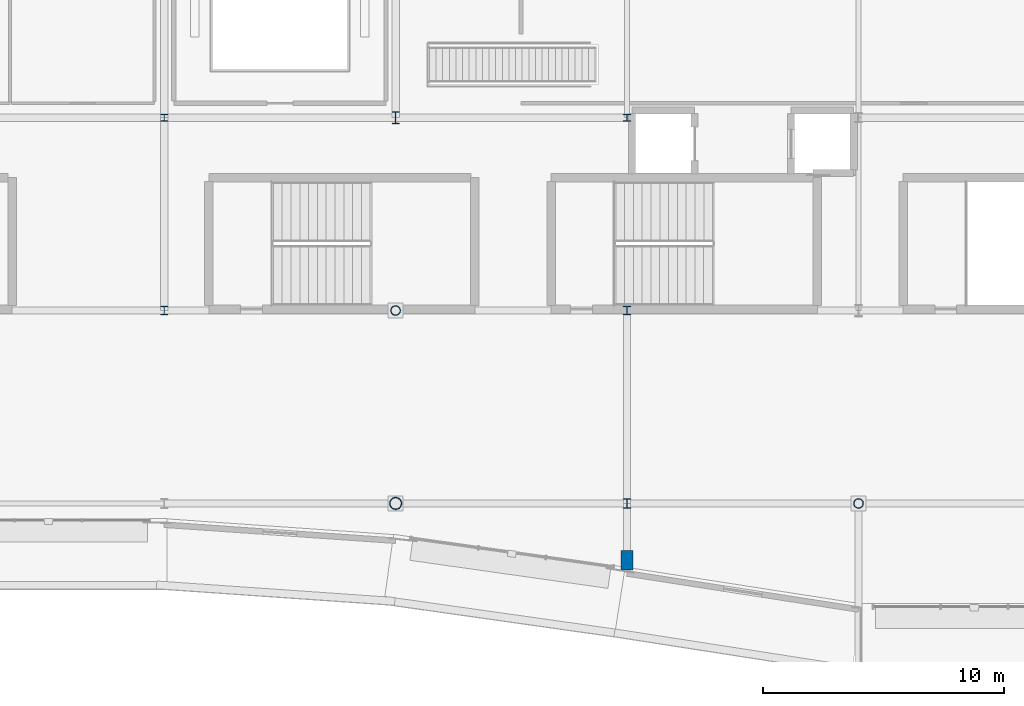
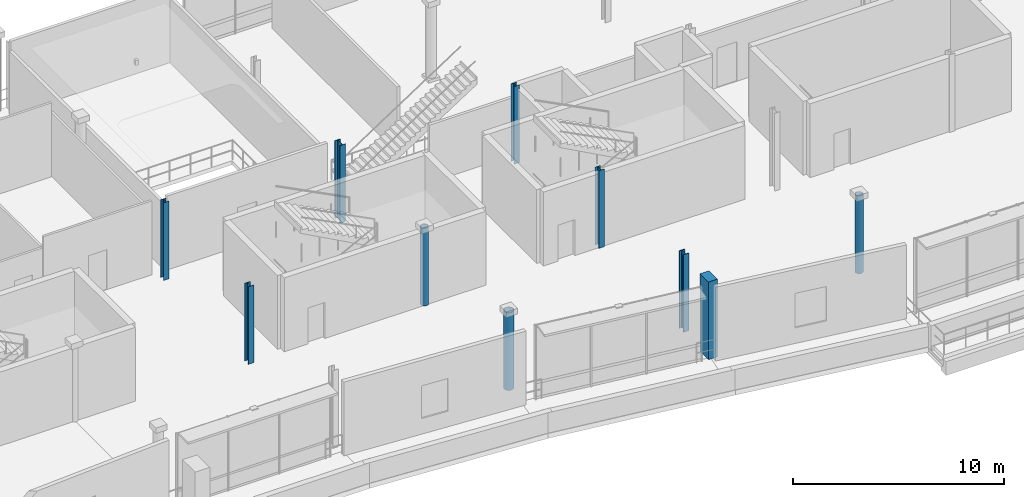
# One storey, part 5 of 59: 10 columns.
"""IFC4 building model written with IfcOpenShell, lengths in metres."""

from ifc_helpers import new_model, si_unit, direction, frame, origin, origin_2d, place, context, subcontext, project, spatial, rectangle, hollow_circle, i_section, extrude, material, material_profile, profile_set, type_object, element, save


model = new_model("IFC4")

# Units and contexts
model_context = context("Model", 3, precision=1e-05, world=origin(), true_north=direction((0.0, 1.0)))
body_context = subcontext(model_context, "Body", "Model", "MODEL_VIEW")
ifc_project = project(units=[si_unit("LENGTHUNIT", "METRE"), si_unit("AREAUNIT", "SQUARE_METRE"), si_unit("VOLUMEUNIT", "CUBIC_METRE"), si_unit("PLANEANGLEUNIT", "RADIAN"), si_unit("MASSUNIT", "GRAM", prefix="KILO")], contexts=[model_context])

# Site, building, storey
site_placement = place(None, origin())
site = spatial("IfcSite", under=ifc_project, at=site_placement, CompositionType="ELEMENT")
building_placement = place(site_placement, origin())
building = spatial("IfcBuilding", under=site, at=building_placement, Name="Danafjord Basin Convention Centre", CompositionType="ELEMENT")
storey_placement = place(building_placement, frame((0.0, 0.0, 15.89990234375)))
storey = spatial("IfcBuildingStorey", under=building, at=storey_placement, Name="L03", CompositionType="ELEMENT", Elevation=15.89990234375)

# Columns
ifc_material_1 = material(Name="Steel S355", Category="steel")
ifc_material_profile_1 = material_profile(ifc_material_1, hollow_circle(Radius=0.203125, WallThickness=0.02001953125, at=origin_2d()), Name="CHS 406.4x20.0")
ifc_profile_set_1 = profile_set([ifc_material_profile_1], Name="Steel S355")
column_type_1 = type_object("IfcColumnType", Name="COL-C-CHS406", PredefinedType="COLUMN", material=ifc_profile_set_1)
for number, where, z_axis, x_axis, name in (
    (1, (76.800048828125, 16.0, 0.0), (0.0, 0.0, 1.0), (1.0, 0.0, 0.0), "L03 column C-CHS406 at (76.8, 16.0)"),
    (2, (96.0, 8.0, 0.0), (0.0, 0.0, 1.0), (1.0, 0.0, 0.0), "L03 column C-CHS406 at (96.0, 8.0)"),
):
    element("IfcColumn", number, at=place(storey_placement, frame(where, z_axis=z_axis, x_axis=x_axis)), inside=storey, type_object=column_type_1, Name=name, PredefinedType="COLUMN", context=body_context, shape_type="SweptSolid", body=[
        extrude(hollow_circle(Radius=0.203125, WallThickness=0.02001953125, at=origin_2d()), origin(), (0.0, 0.0, 1.0), 4.5),
    ])
ifc_material_profile_2 = material_profile(ifc_material_1, hollow_circle(Radius=0.25390625, WallThickness=0.02490234375, at=origin_2d()), Name="CHS 508.0x25.0")
ifc_profile_set_2 = profile_set([ifc_material_profile_2], Name="Steel S355")
column_type_2 = type_object("IfcColumnType", Name="COL-C-CHS508", PredefinedType="COLUMN", material=ifc_profile_set_2)
column_1_placement = place(storey_placement, frame((76.800048828125, 8.0, 0.0), z_axis=(0.0, 0.0, 1.0), x_axis=(1.0, 0.0, 0.0)))
element("IfcColumn", 3, at=column_1_placement, inside=storey, type_object=column_type_2, Name="L03 column C-CHS508 at (76.8, 8.0)", PredefinedType="COLUMN", context=body_context, shape_type="SweptSolid", body=[
    extrude(hollow_circle(Radius=0.25390625, WallThickness=0.02490234375, at=origin_2d()), origin(), (0.0, 0.0, 1.0), 4.5),
])
ifc_material_profile_3 = material_profile(ifc_material_1, i_section(OverallWidth=0.300048828125, OverallDepth=0.300048828125, WebThickness=0.010986328125, FlangeThickness=0.01904296875, FilletRadius=0.027099609375, at=origin_2d()), Name="HEB 300")
ifc_profile_set_3 = profile_set([ifc_material_profile_3], Name="Steel S355")
column_type_3 = type_object("IfcColumnType", Name="COL-C-HEB300", PredefinedType="COLUMN", material=ifc_profile_set_3)
for number, where, z_axis, x_axis, name in (
    (4, (67.199951171875, 24.0, 0.0), (0.0, 0.0, 1.0), (1.0, 0.0, 0.0), "L03 column C-HEB300 at (67.2, 24.0)"),
    (5, (86.39990234375, 24.0, 0.0), (0.0, 0.0, 1.0), (1.0, 0.0, 0.0), "L03 column C-HEB300 at (86.4, 24.0)"),
):
    element("IfcColumn", number, at=place(storey_placement, frame(where, z_axis=z_axis, x_axis=x_axis)), inside=storey, type_object=column_type_3, Name=name, PredefinedType="COLUMN", context=body_context, shape_type="SweptSolid", body=[
        extrude(i_section(OverallWidth=0.300048828125, OverallDepth=0.300048828125, WebThickness=0.010986328125, FlangeThickness=0.01904296875, FilletRadius=0.027099609375, at=origin_2d()), origin(), (0.0, 0.0, 1.0), 4.5),
    ])
ifc_material_profile_4 = material_profile(ifc_material_1, i_section(OverallWidth=0.300048828125, OverallDepth=0.360107421875, WebThickness=0.012451171875, FlangeThickness=0.0224609375, FilletRadius=0.027099609375, at=origin_2d()), Name="HEB 360")
ifc_profile_set_4 = profile_set([ifc_material_profile_4], Name="Steel S355")
column_type_4 = type_object("IfcColumnType", Name="COL-C-HEB360", PredefinedType="COLUMN", material=ifc_profile_set_4)
for number, where, z_axis, x_axis, name in (
    (6, (67.199951171875, 16.0, 0.0), (0.0, 0.0, 1.0), (1.0, 0.0, 0.0), "L03 column C-HEB360 at (67.2, 16.0)"),
    (7, (86.39990234375, 16.0, 0.0), (0.0, 0.0, 1.0), (1.0, 0.0, 0.0), "L03 column C-HEB360 at (86.4, 16.0)"),
):
    element("IfcColumn", number, at=place(storey_placement, frame(where, z_axis=z_axis, x_axis=x_axis)), inside=storey, type_object=column_type_4, Name=name, PredefinedType="COLUMN", context=body_context, shape_type="SweptSolid", body=[
        extrude(i_section(OverallWidth=0.300048828125, OverallDepth=0.360107421875, WebThickness=0.012451171875, FlangeThickness=0.0224609375, FilletRadius=0.027099609375, at=origin_2d()), origin(), (0.0, 0.0, 1.0), 4.5),
    ])
ifc_material_profile_5 = material_profile(ifc_material_1, i_section(OverallWidth=0.300048828125, OverallDepth=0.39990234375, WebThickness=0.013427734375, FlangeThickness=0.02392578125, FilletRadius=0.027099609375, at=origin_2d()), Name="HEB 400")
ifc_profile_set_5 = profile_set([ifc_material_profile_5], Name="Steel S355")
column_type_5 = type_object("IfcColumnType", Name="COL-C-HEB400", PredefinedType="COLUMN", material=ifc_profile_set_5)
column_2_placement = place(storey_placement, frame((86.39990234375, 8.0, 0.0), z_axis=(0.0, 0.0, 1.0), x_axis=(1.0, 0.0, 0.0)))
element("IfcColumn", 8, at=column_2_placement, inside=storey, type_object=column_type_5, Name="L03 column C-HEB400 at (86.4, 8.0)", PredefinedType="COLUMN", context=body_context, shape_type="SweptSolid", body=[
    extrude(i_section(OverallWidth=0.300048828125, OverallDepth=0.39990234375, WebThickness=0.013427734375, FlangeThickness=0.02392578125, FilletRadius=0.027099609375, at=origin_2d()), origin(), (0.0, 0.0, 1.0), 4.5),
])
ifc_material_profile_6 = material_profile(ifc_material_1, i_section(OverallWidth=0.300048828125, OverallDepth=0.5, WebThickness=0.014404296875, FlangeThickness=0.028076171875, FilletRadius=0.027099609375, at=origin_2d()), Name="HEB 500")
ifc_profile_set_6 = profile_set([ifc_material_profile_6], Name="Steel S355")
column_type_6 = type_object("IfcColumnType", Name="COL-C-HEB500", PredefinedType="COLUMN", material=ifc_profile_set_6)
column_3_placement = place(storey_placement, frame((76.800048828125, 24.0, 0.0), z_axis=(0.0, 0.0, 1.0), x_axis=(1.0, 0.0, 0.0)))
element("IfcColumn", 9, at=column_3_placement, inside=storey, type_object=column_type_6, Name="L03 column C-HEB500 at (76.8, 24.0)", PredefinedType="COLUMN", context=body_context, shape_type="SweptSolid", body=[
    extrude(i_section(OverallWidth=0.300048828125, OverallDepth=0.5, WebThickness=0.014404296875, FlangeThickness=0.028076171875, FilletRadius=0.027099609375, at=origin_2d()), origin(), (0.0, 0.0, 1.0), 4.5),
])
ifc_material_2 = material(Name="Precast concrete C45/55", Category="concrete")
ifc_material_profile_7 = material_profile(ifc_material_2, rectangle(XDim=0.5, YDim=0.800048828125, at=origin_2d()), Name="PCB 500x800")
ifc_profile_set_7 = profile_set([ifc_material_profile_7], Name="Precast concrete C45/55")
column_type_7 = type_object("IfcColumnType", Name="COL-C-PIL800", PredefinedType="PILASTER", material=ifc_profile_set_7)
column_4_placement = place(storey_placement, frame((86.39990234375, 5.64306640625, 0.0), z_axis=(0.0, 0.0, 1.0), x_axis=(1.0, 0.0, 0.0)))
element("IfcColumn", 10, at=column_4_placement, inside=storey, type_object=column_type_7, Name="L03 column C-PIL800 at (86.4, 5.6)", PredefinedType="PILASTER", context=body_context, shape_type="SweptSolid", body=[
    extrude(rectangle(XDim=0.5, YDim=0.800048828125, at=origin_2d()), origin(), (0.0, 0.0, 1.0), 4.5),
])

save(model, "model.ifc")
